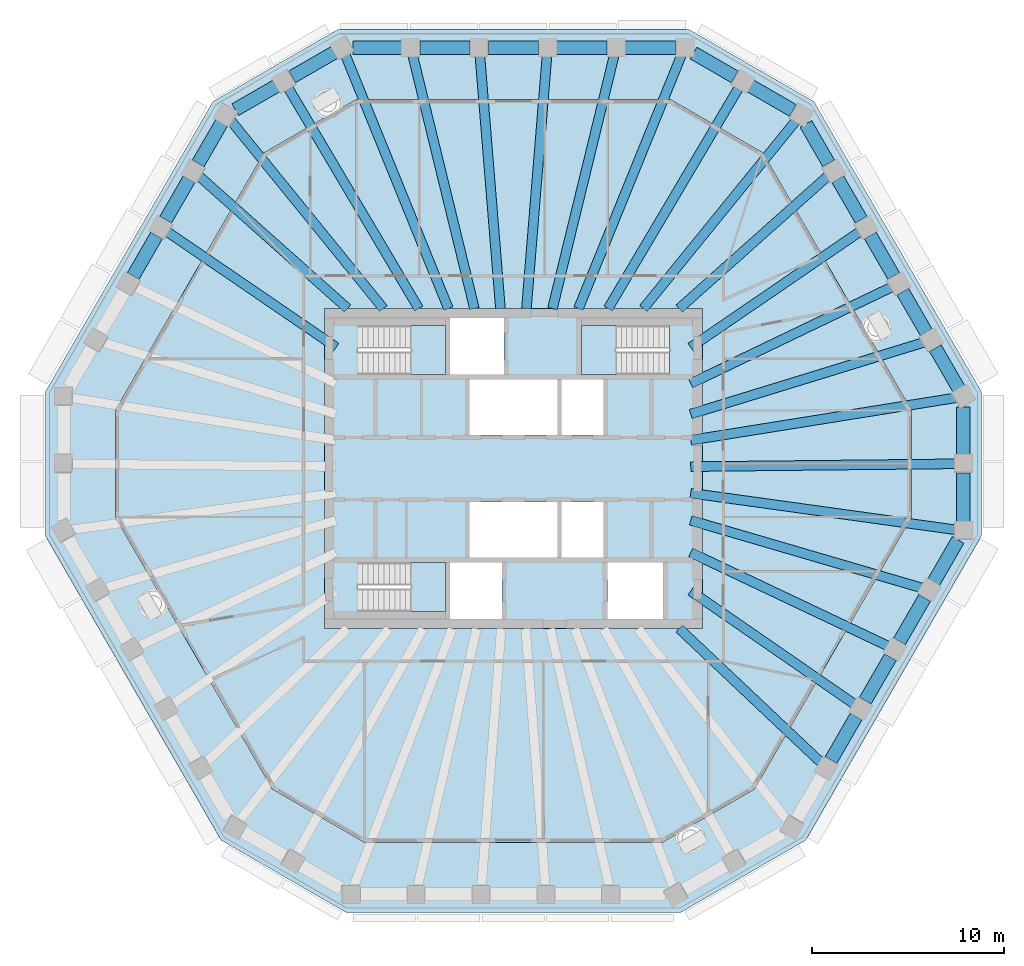
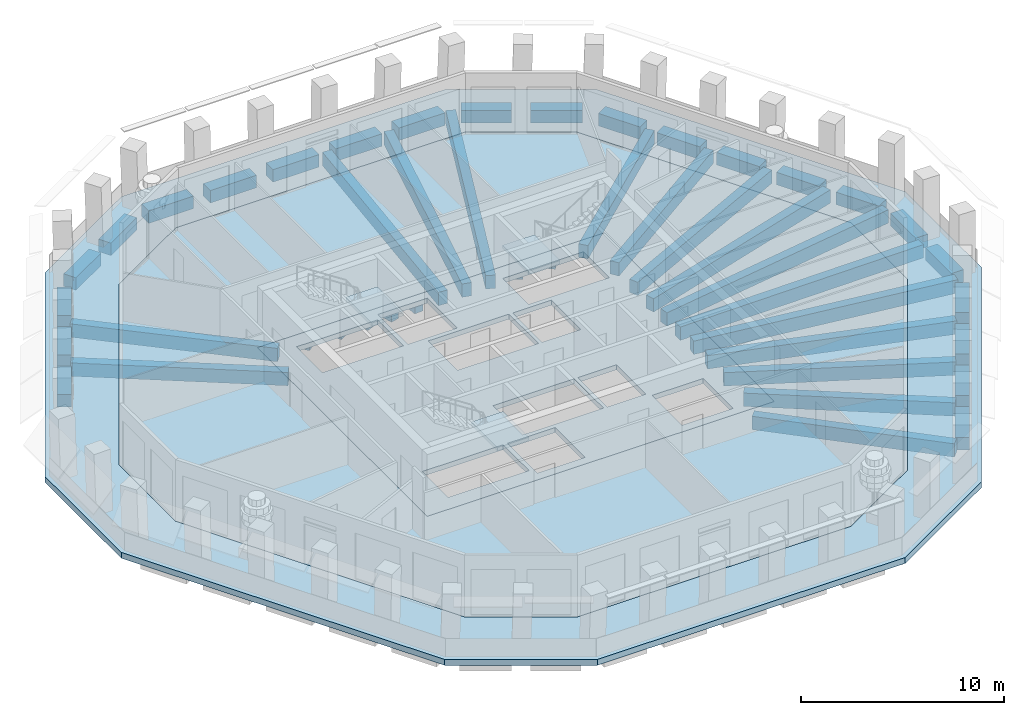
# One storey, part 2 of 12: 46 beams, 6 slabs, 3 elements without a shape of their own.
"""IFC4 building model written with IfcOpenShell, lengths in metres."""

from ifc_helpers import new_model, si_unit, direction, frame, origin, origin_2d, place, context, subcontext, project, spatial, polyline, rectangle, outline, extrude, material, layer, layer_set, material_profile, profile_set, type_object, element, aggregate, save


model = new_model("IFC4")

# Units and contexts
model_context = context("Model", 3, precision=1e-05, world=origin(), true_north=direction((0.0, 1.0)))
body_context = subcontext(model_context, "Body", "Model", "MODEL_VIEW")
ifc_project = project(units=[si_unit("LENGTHUNIT", "METRE"), si_unit("AREAUNIT", "SQUARE_METRE"), si_unit("VOLUMEUNIT", "CUBIC_METRE"), si_unit("PLANEANGLEUNIT", "RADIAN"), si_unit("MASSUNIT", "GRAM", prefix="KILO")], contexts=[model_context])

# Site, building, storey
site_placement = place(None, origin())
site = spatial("IfcSite", under=ifc_project, at=site_placement, CompositionType="ELEMENT")
building_placement = place(site_placement, origin())
building = spatial("IfcBuilding", under=site, at=building_placement, Name="Frailejon Research Tower", CompositionType="ELEMENT")
storey_placement = place(building_placement, frame((0.0, 0.0, 271.0)))
storey = spatial("IfcBuildingStorey", under=building, at=storey_placement, Name="L59", CompositionType="ELEMENT", Elevation=271.0)

# Beams
ifc_material_1 = material(Name="Concrete C60/75", Category="concrete")
ifc_material_profile_1 = material_profile(ifc_material_1, rectangle(XDim=0.5, YDim=0.800048828125, at=origin_2d()), Name="Girder 500x800")
ifc_profile_set_1 = profile_set([ifc_material_profile_1], Name="Concrete C60/75")
beam_type_1 = type_object("IfcBeamType", Name="Girder 500x800", PredefinedType="BEAM", material=ifc_profile_set_1)
beam_1_placement = place(storey_placement, frame((23.142578125, -3.205322265625, -0.699951171875), z_axis=(-0.990545172764, 0.137186955338, 0.0), x_axis=(-0.137186955338, -0.990545172764, 0.0)))
element("IfcBeam", 1, at=beam_1_placement, inside=storey, type_object=beam_type_1, Name="Girder 500x800", PredefinedType="BEAM", context=body_context, shape_type="SweptSolid", body=[
    extrude(rectangle(XDim=0.5, YDim=0.800048828125, at=origin_2d()), origin(), (0.0, 0.0, 1.0), 14.025146484375),
])
beam_2_placement = place(storey_placement, frame((23.14404296875, 0.247802734375, -0.699951171875), z_axis=(-0.999942748071, -0.010700494352, 0.0), x_axis=(0.010700494352, -0.999942748071, 0.0)))
element("IfcBeam", 2, at=beam_2_placement, inside=storey, type_object=beam_type_1, Name="Girder 500x800", PredefinedType="BEAM", context=body_context, shape_type="SweptSolid", body=[
    extrude(rectangle(XDim=0.5, YDim=0.800048828125, at=origin_2d()), origin(), (0.0, 0.0, 1.0), 13.894775390625),
])
beam_3_placement = place(storey_placement, frame((23.114990234375, 3.69677734375, -0.699951171875), z_axis=(-0.987452998151, -0.157913192745, 0.0), x_axis=(0.157913192745, -0.987452998151, 0.0)))
element("IfcBeam", 3, at=beam_3_placement, inside=storey, type_object=beam_type_1, Name="Girder 500x800", PredefinedType="BEAM", context=body_context, shape_type="SweptSolid", body=[
    extrude(rectangle(XDim=0.5, YDim=0.800048828125, at=origin_2d()), origin(), (0.0, 0.0, 1.0), 14.041259765625),
])
beam_4_placement = place(storey_placement, frame((21.44970703125, 6.59326171875, -0.699951171875), z_axis=(-0.955861689664, -0.293817001266, 0.0), x_axis=(0.293817001266, -0.955861689664, 0.0)))
element("IfcBeam", 4, at=beam_4_placement, inside=storey, type_object=beam_type_1, Name="Girder 500x800", PredefinedType="BEAM", context=body_context, shape_type="SweptSolid", body=[
    extrude(rectangle(XDim=0.5, YDim=0.800048828125, at=origin_2d()), origin(), (0.0, 0.0, 1.0), 12.762939453125),
])
beam_5_placement = place(storey_placement, frame((19.781005859375, 9.489990234375, -0.699951171875), z_axis=(-0.901611104768, -0.432547587854, 0.0), x_axis=(0.432547587854, -0.901611104768, 0.0)))
element("IfcBeam", 5, at=beam_5_placement, inside=storey, type_object=beam_type_1, Name="Girder 500x800", PredefinedType="BEAM", context=body_context, shape_type="SweptSolid", body=[
    extrude(rectangle(XDim=0.5, YDim=0.800048828125, at=origin_2d()), origin(), (0.0, 0.0, 1.0), 11.68017578125),
])
beam_6_placement = place(storey_placement, frame((18.109130859375, 12.385986328125, -0.699951171875), z_axis=(-0.825402098204, -0.564545282755, 0.0), x_axis=(0.564545282755, -0.825402098204, 0.0)))
element("IfcBeam", 6, at=beam_6_placement, inside=storey, type_object=beam_type_1, Name="Girder 500x800", PredefinedType="BEAM", context=body_context, shape_type="SweptSolid", body=[
    extrude(rectangle(XDim=0.5, YDim=0.800048828125, at=origin_2d()), origin(), (0.0, 0.0, 1.0), 10.733154296875),
])
beam_7_placement = place(storey_placement, frame((16.431640625, 15.2861328125, -0.699951171875), z_axis=(-0.746506696367, -0.665377901857, 0.0), x_axis=(0.665377901857, -0.746506696367, 0.0)))
element("IfcBeam", 7, at=beam_7_placement, inside=storey, type_object=beam_type_1, Name="Girder 500x800", PredefinedType="BEAM", context=body_context, shape_type="SweptSolid", body=[
    extrude(rectangle(XDim=0.5, YDim=0.800048828125, at=origin_2d()), origin(), (0.0, 0.0, 1.0), 10.42431640625),
])
beam_8_placement = place(storey_placement, frame((14.7763671875, 18.191162109375, -0.699951171875), z_axis=(-0.630487502946, -0.776199400044, 0.0), x_axis=(0.776199400044, -0.630487502946, 0.0)))
element("IfcBeam", 8, at=beam_8_placement, inside=storey, type_object=beam_type_1, Name="Girder 500x800", PredefinedType="BEAM", context=body_context, shape_type="SweptSolid", body=[
    extrude(rectangle(XDim=0.5, YDim=0.800048828125, at=origin_2d()), origin(), (0.0, 0.0, 1.0), 12.678466796875),
])
beam_9_placement = place(storey_placement, frame((11.78662109375, 19.919189453125, -0.699951171875), z_axis=(-0.509248699848, -0.860619405837, 0.0), x_axis=(0.860619405837, -0.509248699848, 0.0)))
element("IfcBeam", 9, at=beam_9_placement, inside=storey, type_object=beam_type_1, Name="Girder 500x800", PredefinedType="BEAM", context=body_context, shape_type="SweptSolid", body=[
    extrude(rectangle(XDim=0.5, YDim=0.800048828125, at=origin_2d()), origin(), (0.0, 0.0, 1.0), 13.44287109375),
])
beam_10_placement = place(storey_placement, frame((8.782958984375, 21.614013671875, -0.699951171875), z_axis=(-0.376462578193, -0.926431825458, 0.0), x_axis=(0.926431825458, -0.376462578193, 0.0)))
element("IfcBeam", 10, at=beam_10_placement, inside=storey, type_object=beam_type_1, Name="Girder 500x800", PredefinedType="BEAM", context=body_context, shape_type="SweptSolid", body=[
    extrude(rectangle(XDim=0.5, YDim=0.800048828125, at=origin_2d()), origin(), (0.0, 0.0, 1.0), 14.317138671875),
])
beam_11_placement = place(storey_placement, frame((5.271484375, 21.62060546875, -0.699951171875), z_axis=(-0.236879235522, -0.971539102547, 0.0), x_axis=(0.971539102547, -0.236879235522, 0.0)))
element("IfcBeam", 11, at=beam_11_placement, inside=storey, type_object=beam_type_1, Name="Girder 500x800", PredefinedType="BEAM", context=body_context, shape_type="SweptSolid", body=[
    extrude(rectangle(XDim=0.5, YDim=0.800048828125, at=origin_2d()), origin(), (0.0, 0.0, 1.0), 13.6591796875),
])
for number, where, z_axis, x_axis, name in (
    (12, (1.75732421875, 21.62451171875, -0.699951171875), (-0.080988140182, -0.996715065177, 0.0), (0.996715065177, -0.080988140182, 0.0), "Girder 500x800"),
    (13, (-1.75732421875, 21.62451171875, -0.699951171875), (0.080988140182, -0.996715065177, 0.0), (0.996715065177, 0.080988140182, 0.0), "Girder 500x800"),
):
    element("IfcBeam", number, at=place(storey_placement, frame(where, z_axis=z_axis, x_axis=x_axis)), inside=storey, type_object=beam_type_1, Name=name, PredefinedType="BEAM", context=body_context, shape_type="SweptSolid", body=[
        extrude(rectangle(XDim=0.5, YDim=0.800048828125, at=origin_2d()), origin(), (0.0, 0.0, 1.0), 13.318115234375),
    ])
beam_12_placement = place(storey_placement, frame((-5.271484375, 21.62060546875, -0.699951171875), z_axis=(0.236879235522, -0.971539102547, 0.0), x_axis=(0.971539102547, 0.236879235522, 0.0)))
element("IfcBeam", 14, at=beam_12_placement, inside=storey, type_object=beam_type_1, Name="Girder 500x800", PredefinedType="BEAM", context=body_context, shape_type="SweptSolid", body=[
    extrude(rectangle(XDim=0.5, YDim=0.800048828125, at=origin_2d()), origin(), (0.0, 0.0, 1.0), 13.6591796875),
])
beam_13_placement = place(storey_placement, frame((-8.79541015625, 21.644775390625, -0.699951171875), z_axis=(0.376459642479, -0.926433018402, 0.0), x_axis=(0.926433018402, 0.376459642479, 0.0)))
element("IfcBeam", 15, at=beam_13_placement, inside=storey, type_object=beam_type_1, Name="Girder 500x800", PredefinedType="BEAM", context=body_context, shape_type="SweptSolid", body=[
    extrude(rectangle(XDim=0.5, YDim=0.800048828125, at=origin_2d()), origin(), (0.0, 0.0, 1.0), 14.350341796875),
])
beam_14_placement = place(storey_placement, frame((-11.78662109375, 19.919189453125, -0.699951171875), z_axis=(0.509248699848, -0.860619405837, 0.0), x_axis=(0.860619405837, 0.509248699848, 0.0)))
element("IfcBeam", 16, at=beam_14_placement, inside=storey, type_object=beam_type_1, Name="Girder 500x800", PredefinedType="BEAM", context=body_context, shape_type="SweptSolid", body=[
    extrude(rectangle(XDim=0.5, YDim=0.800048828125, at=origin_2d()), origin(), (0.0, 0.0, 1.0), 13.44287109375),
])
beam_15_placement = place(storey_placement, frame((-14.759033203125, 18.169677734375, -0.699951171875), z_axis=(0.630493086353, -0.776194864748, 0.0), x_axis=(0.776194864748, 0.630493086353, 0.0)))
element("IfcBeam", 17, at=beam_15_placement, inside=storey, type_object=beam_type_1, Name="Girder 500x800", PredefinedType="BEAM", context=body_context, shape_type="SweptSolid", body=[
    extrude(rectangle(XDim=0.5, YDim=0.800048828125, at=origin_2d()), origin(), (0.0, 0.0, 1.0), 12.65087890625),
])
beam_16_placement = place(storey_placement, frame((-16.431640625, 15.2861328125, -0.699951171875), z_axis=(0.746506696367, -0.665377901857, 0.0), x_axis=(0.665377901857, 0.746506696367, 0.0)))
element("IfcBeam", 18, at=beam_16_placement, inside=storey, type_object=beam_type_1, Name="Girder 500x800", PredefinedType="BEAM", context=body_context, shape_type="SweptSolid", body=[
    extrude(rectangle(XDim=0.5, YDim=0.800048828125, at=origin_2d()), origin(), (0.0, 0.0, 1.0), 10.42431640625),
])
beam_17_placement = place(storey_placement, frame((-18.109130859375, 12.385986328125, -0.699951171875), z_axis=(0.825402098204, -0.564545282755, 0.0), x_axis=(0.564545282755, 0.825402098204, 0.0)))
element("IfcBeam", 19, at=beam_17_placement, inside=storey, type_object=beam_type_1, Name="Girder 500x800", PredefinedType="BEAM", context=body_context, shape_type="SweptSolid", body=[
    extrude(rectangle(XDim=0.5, YDim=0.800048828125, at=origin_2d()), origin(), (0.0, 0.0, 1.0), 10.733154296875),
])
beam_18_placement = place(storey_placement, frame((16.08740234375, -15.37744140625, -0.699951171875), z_axis=(-0.726864916827, 0.686780454502, 0.0), x_axis=(-0.686780454502, -0.726864916827, 0.0)))
element("IfcBeam", 20, at=beam_18_placement, inside=storey, type_object=beam_type_1, Name="Girder 500x800", PredefinedType="BEAM", context=body_context, shape_type="SweptSolid", body=[
    extrude(rectangle(XDim=0.5, YDim=0.800048828125, at=origin_2d()), origin(), (0.0, 0.0, 1.0), 10.232421875),
])
beam_19_placement = place(storey_placement, frame((17.8486328125, -12.334228515625, -0.699951171875), z_axis=(-0.822673728807, 0.568513795725, 0.0), x_axis=(-0.568513795725, -0.822673728807, 0.0)))
element("IfcBeam", 21, at=beam_19_placement, inside=storey, type_object=beam_type_1, Name="Girder 500x800", PredefinedType="BEAM", context=body_context, shape_type="SweptSolid", body=[
    extrude(rectangle(XDim=0.5, YDim=0.800048828125, at=origin_2d()), origin(), (0.0, 0.0, 1.0), 10.4521484375),
])
beam_20_placement = place(storey_placement, frame((19.606201171875, -9.290283203125, -0.699951171875), z_axis=(-0.903681872797, 0.428204475429, 0.0), x_axis=(-0.428204475429, -0.903681872797, 0.0)))
element("IfcBeam", 22, at=beam_20_placement, inside=storey, type_object=beam_type_1, Name="Girder 500x800", PredefinedType="BEAM", context=body_context, shape_type="SweptSolid", body=[
    extrude(rectangle(XDim=0.5, YDim=0.800048828125, at=origin_2d()), origin(), (0.0, 0.0, 1.0), 11.4599609375),
])
beam_21_placement = place(storey_placement, frame((21.35986328125, -6.2451171875, -0.699951171875), z_axis=(-0.959819051667, 0.280619650161, 0.0), x_axis=(-0.280619650161, -0.959819051667, 0.0)))
element("IfcBeam", 23, at=beam_21_placement, inside=storey, type_object=beam_type_1, Name="Girder 500x800", PredefinedType="BEAM", context=body_context, shape_type="SweptSolid", body=[
    extrude(rectangle(XDim=0.5, YDim=0.800048828125, at=origin_2d()), origin(), (0.0, 0.0, 1.0), 12.61669921875),
])
ifc_material_2 = material(Name="Concrete C60/75", Category="concrete")
ifc_material_profile_2 = material_profile(ifc_material_2, rectangle(XDim=0.699951171875, YDim=0.75, at=origin_2d()), Name="Spandrel 700x750")
ifc_profile_set_2 = profile_set([ifc_material_profile_2], Name="Concrete C60/75")
beam_type_2 = type_object("IfcBeamType", Name="Spandrel 700x750", PredefinedType="BEAM", material=ifc_profile_set_2)
beam_22_placement = place(storey_placement, frame((23.468994140625, -2.775634765625, -0.72509765625), z_axis=(0.0, 1.0, 0.0), x_axis=(-1.0, 0.0, 0.0)))
element("IfcBeam", 24, at=beam_22_placement, inside=storey, type_object=beam_type_2, Name="Spandrel 700x750", PredefinedType="BEAM", context=body_context, shape_type="SweptSolid", body=[
    extrude(rectangle(XDim=0.699951171875, YDim=0.75, at=origin_2d()), origin(), (0.0, 0.0, 1.0), 2.552001953125),
])
beam_23_placement = place(storey_placement, frame((23.468994140625, 0.726318359375, -0.72509765625), z_axis=(0.0, 1.0, 0.0), x_axis=(-1.0, 0.0, 0.0)))
element("IfcBeam", 25, at=beam_23_placement, inside=storey, type_object=beam_type_2, Name="Spandrel 700x750", PredefinedType="BEAM", context=body_context, shape_type="SweptSolid", body=[
    extrude(rectangle(XDim=0.699951171875, YDim=0.75, at=origin_2d()), origin(), (0.0, 0.0, 1.0), 2.478515625),
])
beam_24_placement = place(storey_placement, frame((23.2314453125, 4.164794921875, -0.72509765625), z_axis=(-0.499964620392, 0.866045829247, 0.0), x_axis=(-0.866045829247, -0.499964620392, 0.0)))
element("IfcBeam", 26, at=beam_24_placement, inside=storey, type_object=beam_type_2, Name="Spandrel 700x750", PredefinedType="BEAM", context=body_context, shape_type="SweptSolid", body=[
    extrude(rectangle(XDim=0.699951171875, YDim=0.75, at=origin_2d()), origin(), (0.0, 0.0, 1.0), 2.443603515625),
])
beam_25_placement = place(storey_placement, frame((21.53466796875, 7.103759765625, -0.72509765625), z_axis=(-0.500007885066, 0.866020851292, 0.0), x_axis=(-0.866020851292, -0.500007885066, 0.0)))
element("IfcBeam", 27, at=beam_25_placement, inside=storey, type_object=beam_type_2, Name="Spandrel 700x750", PredefinedType="BEAM", context=body_context, shape_type="SweptSolid", body=[
    extrude(rectangle(XDim=0.699951171875, YDim=0.75, at=origin_2d()), origin(), (0.0, 0.0, 1.0), 2.443359375),
])
beam_26_placement = place(storey_placement, frame((19.837890625, 10.04248046875, -0.72509765625), z_axis=(-0.499964620392, 0.866045829247, 0.0), x_axis=(-0.866045829247, -0.499964620392, 0.0)))
element("IfcBeam", 28, at=beam_26_placement, inside=storey, type_object=beam_type_2, Name="Spandrel 700x750", PredefinedType="BEAM", context=body_context, shape_type="SweptSolid", body=[
    extrude(rectangle(XDim=0.699951171875, YDim=0.75, at=origin_2d()), origin(), (0.0, 0.0, 1.0), 2.443603515625),
])
beam_27_placement = place(storey_placement, frame((18.14111328125, 12.981689453125, -0.72509765625), z_axis=(-0.500082819891, 0.865977582417, 0.0), x_axis=(-0.865977582417, -0.500082819891, 0.0)))
element("IfcBeam", 29, at=beam_27_placement, inside=storey, type_object=beam_type_2, Name="Spandrel 700x750", PredefinedType="BEAM", context=body_context, shape_type="SweptSolid", body=[
    extrude(rectangle(XDim=0.699951171875, YDim=0.75, at=origin_2d()), origin(), (0.0, 0.0, 1.0), 2.443359375),
])
beam_28_placement = place(storey_placement, frame((16.4443359375, 15.92041015625, -0.72509765625), z_axis=(-0.5000167099, 0.866015756104, 0.0), x_axis=(-0.866015756104, -0.5000167099, 0.0)))
element("IfcBeam", 30, at=beam_28_placement, inside=storey, type_object=beam_type_2, Name="Spandrel 700x750", PredefinedType="BEAM", context=body_context, shape_type="SweptSolid", body=[
    extrude(rectangle(XDim=0.699951171875, YDim=0.75, at=origin_2d()), origin(), (0.0, 0.0, 1.0), 2.3701171875),
])
beam_29_placement = place(storey_placement, frame((14.573486328125, 18.685546875, -0.72509765625), z_axis=(-0.866032638483, 0.499987468925, 0.0), x_axis=(-0.499987468925, -0.866032638483, 0.0)))
element("IfcBeam", 31, at=beam_29_placement, inside=storey, type_object=beam_type_2, Name="Spandrel 700x750", PredefinedType="BEAM", context=body_context, shape_type="SweptSolid", body=[
    extrude(rectangle(XDim=0.699951171875, YDim=0.75, at=origin_2d()), origin(), (0.0, 0.0, 1.0), 2.5517578125),
])
beam_30_placement = place(storey_placement, frame((11.540771484375, 20.4365234375, -0.72509765625), z_axis=(-0.866028115054, 0.499995303914, 0.0), x_axis=(-0.499995303914, -0.866028115054, 0.0)))
element("IfcBeam", 32, at=beam_30_placement, inside=storey, type_object=beam_type_2, Name="Spandrel 700x750", PredefinedType="BEAM", context=body_context, shape_type="SweptSolid", body=[
    extrude(rectangle(XDim=0.699951171875, YDim=0.75, at=origin_2d()), origin(), (0.0, 0.0, 1.0), 2.478515625),
])
beam_31_placement = place(storey_placement, frame((8.4443359375, 21.949951171875, -0.72509765625), z_axis=(-1.0, 0.0, 0.0), x_axis=(0.0, -1.0, 0.0)))
element("IfcBeam", 33, at=beam_31_placement, inside=storey, type_object=beam_type_2, Name="Spandrel 700x750", PredefinedType="BEAM", context=body_context, shape_type="SweptSolid", body=[
    extrude(rectangle(XDim=0.699951171875, YDim=0.75, at=origin_2d()), origin(), (0.0, 0.0, 1.0), 2.61767578125),
])
beam_32_placement = place(storey_placement, frame((4.876708984375, 21.949951171875, -0.72509765625), z_axis=(-1.0, 0.0, 0.0), x_axis=(0.0, -1.0, 0.0)))
element("IfcBeam", 34, at=beam_32_placement, inside=storey, type_object=beam_type_2, Name="Spandrel 700x750", PredefinedType="BEAM", context=body_context, shape_type="SweptSolid", body=[
    extrude(rectangle(XDim=0.699951171875, YDim=0.75, at=origin_2d()), origin(), (0.0, 0.0, 1.0), 2.617919921875),
])
beam_33_placement = place(storey_placement, frame((1.308837890625, 21.949951171875, -0.72509765625), z_axis=(-1.0, 0.0, 0.0), x_axis=(0.0, -1.0, 0.0)))
element("IfcBeam", 35, at=beam_33_placement, inside=storey, type_object=beam_type_2, Name="Spandrel 700x750", PredefinedType="BEAM", context=body_context, shape_type="SweptSolid", body=[
    extrude(rectangle(XDim=0.699951171875, YDim=0.75, at=origin_2d()), origin(), (0.0, 0.0, 1.0), 2.61767578125),
])
beam_34_placement = place(storey_placement, frame((-2.2587890625, 21.949951171875, -0.72509765625), z_axis=(-1.0, 0.0, 0.0), x_axis=(0.0, -1.0, 0.0)))
element("IfcBeam", 36, at=beam_34_placement, inside=storey, type_object=beam_type_2, Name="Spandrel 700x750", PredefinedType="BEAM", context=body_context, shape_type="SweptSolid", body=[
    extrude(rectangle(XDim=0.699951171875, YDim=0.75, at=origin_2d()), origin(), (0.0, 0.0, 1.0), 2.617919921875),
])
beam_35_placement = place(storey_placement, frame((-5.82666015625, 21.949951171875, -0.72509765625), z_axis=(-1.0, 0.0, 0.0), x_axis=(0.0, -1.0, 0.0)))
element("IfcBeam", 37, at=beam_35_placement, inside=storey, type_object=beam_type_2, Name="Spandrel 700x750", PredefinedType="BEAM", context=body_context, shape_type="SweptSolid", body=[
    extrude(rectangle(XDim=0.699951171875, YDim=0.75, at=origin_2d()), origin(), (0.0, 0.0, 1.0), 2.544189453125),
])
beam_36_placement = place(storey_placement, frame((-9.330810546875, 21.71240234375, -0.72509765625), z_axis=(-0.866032638483, -0.499987468925, 0.0), x_axis=(0.499987468925, -0.866032638483, 0.0)))
element("IfcBeam", 38, at=beam_36_placement, inside=storey, type_object=beam_type_2, Name="Spandrel 700x750", PredefinedType="BEAM", context=body_context, shape_type="SweptSolid", body=[
    extrude(rectangle(XDim=0.699951171875, YDim=0.75, at=origin_2d()), origin(), (0.0, 0.0, 1.0), 2.5517578125),
])
beam_37_placement = place(storey_placement, frame((-12.363525390625, 19.96142578125, -0.72509765625), z_axis=(-0.866028115054, -0.499995303914, 0.0), x_axis=(0.499995303914, -0.866028115054, 0.0)))
element("IfcBeam", 39, at=beam_37_placement, inside=storey, type_object=beam_type_2, Name="Spandrel 700x750", PredefinedType="BEAM", context=body_context, shape_type="SweptSolid", body=[
    extrude(rectangle(XDim=0.699951171875, YDim=0.75, at=origin_2d()), origin(), (0.0, 0.0, 1.0), 2.478515625),
])
beam_38_placement = place(storey_placement, frame((-15.222412109375, 18.03662109375, -0.72509765625), z_axis=(-0.500039553057, -0.866002566612, 0.0), x_axis=(0.866002566612, -0.500039553057, 0.0)))
element("IfcBeam", 40, at=beam_38_placement, inside=storey, type_object=beam_type_2, Name="Spandrel 700x750", PredefinedType="BEAM", context=body_context, shape_type="SweptSolid", body=[
    extrude(rectangle(XDim=0.699951171875, YDim=0.75, at=origin_2d()), origin(), (0.0, 0.0, 1.0), 2.443603515625),
])
beam_39_placement = place(storey_placement, frame((-16.919189453125, 15.09765625, -0.72509765625), z_axis=(-0.500082819891, -0.865977582417, 0.0), x_axis=(0.865977582417, -0.500082819891, 0.0)))
element("IfcBeam", 41, at=beam_39_placement, inside=storey, type_object=beam_type_2, Name="Spandrel 700x750", PredefinedType="BEAM", context=body_context, shape_type="SweptSolid", body=[
    extrude(rectangle(XDim=0.699951171875, YDim=0.75, at=origin_2d()), origin(), (0.0, 0.0, 1.0), 2.443359375),
])
beam_40_placement = place(storey_placement, frame((-18.6162109375, 12.15869140625, -0.72509765625), z_axis=(-0.499964620392, -0.866045829247, 0.0), x_axis=(0.866045829247, -0.499964620392, 0.0)))
element("IfcBeam", 42, at=beam_40_placement, inside=storey, type_object=beam_type_2, Name="Spandrel 700x750", PredefinedType="BEAM", context=body_context, shape_type="SweptSolid", body=[
    extrude(rectangle(XDim=0.699951171875, YDim=0.75, at=origin_2d()), origin(), (0.0, 0.0, 1.0), 2.443603515625),
])
for number, where, z_axis, x_axis, name in (
    (43, (16.57080078125, -15.1982421875, -0.72509765625), (0.50009112377, 0.865972787059, 0.0), (-0.865972787059, 0.50009112377, 0.0), "Spandrel 700x750"),
    (44, (18.354736328125, -12.1083984375, -0.72509765625), (0.50009112377, 0.865972787059, 0.0), (-0.865972787059, 0.50009112377, 0.0), "Spandrel 700x750"),
    (45, (20.138671875, -9.018798828125, -0.72509765625), (0.499980792466, 0.866036492975, 0.0), (-0.866036492975, 0.499980792466, 0.0), "Spandrel 700x750"),
):
    element("IfcBeam", number, at=place(storey_placement, frame(where, z_axis=z_axis, x_axis=x_axis)), inside=storey, type_object=beam_type_2, Name=name, PredefinedType="BEAM", context=body_context, shape_type="SweptSolid", body=[
        extrude(rectangle(XDim=0.699951171875, YDim=0.75, at=origin_2d()), origin(), (0.0, 0.0, 1.0), 2.61767578125),
    ])
beam_41_placement = place(storey_placement, frame((21.922607421875, -5.928955078125, -0.72509765625), z_axis=(0.499957811549, 0.866049759928, 0.0), x_axis=(-0.866049759928, 0.499957811549, 0.0)))
element("IfcBeam", 46, at=beam_41_placement, inside=storey, type_object=beam_type_2, Name="Spandrel 700x750", PredefinedType="BEAM", context=body_context, shape_type="SweptSolid", body=[
    extrude(rectangle(XDim=0.699951171875, YDim=0.75, at=origin_2d()), origin(), (0.0, 0.0, 1.0), 2.544189453125),
])

# Slabs
ifc_material_3 = material(Name="Concrete C50/60", Category="concrete")
ifc_layer_1 = layer(ifc_material_3, 0.300048828125)
ifc_layer_set_1 = layer_set([ifc_layer_1], Name="Core floor slab 300 C50/60")
slab_type_1 = type_object("IfcSlabType", Name="Core floor slab 300 C50/60", PredefinedType="FLOOR", material=ifc_layer_set_1)
slab_1_placement = place(storey_placement, frame((0.0, 0.0, -0.300048828125)))
element("IfcSlab", 47, at=slab_1_placement, inside=storey, type_object=slab_type_1, Name="Core floor slab", PredefinedType="FLOOR", context=body_context, shape_type="SweptSolid", body=[
    extrude(outline(polyline([(9.85009765625, -8.35009765625), (9.85009765625, 8.35009765625), (-9.85009765625, 8.35009765625), (-9.85009765625, -8.35009765625), (9.85009765625, -8.35009765625)]), holes=[polyline([(2.300048828125, 1.75), (2.300048828125, 4.64990234375), (-2.300048828125, 4.64990234375), (-2.300048828125, 1.75), (2.300048828125, 1.75)]), polyline([(4.699951171875, 1.75), (4.699951171875, 4.64990234375), (2.5, 4.64990234375), (2.5, 1.75), (4.699951171875, 1.75)]), polyline([(2.300048828125, -4.64990234375), (2.300048828125, -1.75), (-2.300048828125, -1.75), (-2.300048828125, -4.64990234375), (2.300048828125, -4.64990234375)]), polyline([(4.699951171875, -4.64990234375), (4.699951171875, -1.75), (2.5, -1.75), (2.5, -4.64990234375), (4.699951171875, -4.64990234375)]), polyline([(-8.14697265625, 4.89990234375), (-3.550048828125, 4.89990234375), (-3.550048828125, 7.449951171875), (-8.14697265625, 7.449951171875), (-8.14697265625, 4.89990234375)]), polyline([(-8.14697265625, -7.449951171875), (-3.550048828125, -7.449951171875), (-3.550048828125, -4.89990234375), (-8.14697265625, -4.89990234375), (-8.14697265625, -7.449951171875)]), polyline([(8.14697265625, 7.449951171875), (3.550048828125, 7.449951171875), (3.550048828125, 4.89990234375), (8.14697265625, 4.89990234375), (8.14697265625, 7.449951171875)]), polyline([(-0.60009765625, -7.85009765625), (-0.60009765625, -4.89990234375), (-3.300048828125, -4.89990234375), (-3.300048828125, -7.85009765625), (-0.60009765625, -7.85009765625)]), polyline([(7.800048828125, -7.85009765625), (7.800048828125, -4.89990234375), (4.89990234375, -4.89990234375), (4.89990234375, -7.85009765625), (7.800048828125, -7.85009765625)]), polyline([(-0.5, 4.89990234375), (-0.5, 7.85009765625), (-3.300048828125, 7.85009765625), (-3.300048828125, 4.89990234375), (-0.5, 4.89990234375)])]), origin(), (0.0, 0.0, 1.0), 0.300048828125),
])
ifc_material_4 = material(Name="Concrete C40/50", Category="concrete")
ifc_layer_2 = layer(ifc_material_4, 0.35009765625)
ifc_layer_set_2 = layer_set([ifc_layer_2], Name="Loggia slab 350")
slab_type_2 = type_object("IfcSlabType", Name="Loggia slab 350", PredefinedType="USERDEFINED", material=ifc_layer_set_2)
slab_2_placement = place(storey_placement, frame((0.0, 0.0, -0.35009765625)))
element("IfcSlab", 48, at=slab_2_placement, inside=storey, type_object=slab_type_2, Name="Loggia slab L59", ObjectType="LOGGIA", PredefinedType="USERDEFINED", context=body_context, shape_type="SweptSolid", body=[
    extrude(outline(polyline([(15.2451171875, -19.39501953125), (8.738525390625, -23.1513671875), (-8.738525390625, -23.1513671875), (-15.2451171875, -19.39501953125), (-24.4189453125, -3.505126953125), (-24.4189453125, 4.0078125), (-15.680419921875, 19.1435546875), (-9.174072265625, 22.89990234375), (9.174072265625, 22.89990234375), (15.680419921875, 19.1435546875), (24.4189453125, 4.0078125), (24.4189453125, -3.505126953125), (15.2451171875, -19.39501953125)]), holes=[polyline([(20.76904296875, 3.02978515625), (13.008544921875, 16.471435546875), (8.196044921875, 19.25), (-8.196044921875, 19.25), (-13.008544921875, 16.471435546875), (-20.76904296875, 3.02978515625), (-20.76904296875, -2.527099609375), (-12.572998046875, -16.722900390625), (-7.760498046875, -19.50146484375), (7.760498046875, -19.50146484375), (12.572998046875, -16.722900390625), (20.76904296875, -2.527099609375), (20.76904296875, 3.02978515625)])]), origin(), (0.0, 0.0, 1.0), 0.35009765625),
])
ifc_material_5 = material(Name="Concrete C40/50", Category="concrete")
ifc_layer_3 = layer(ifc_material_5, 0.300048828125)
ifc_layer_set_3 = layer_set([ifc_layer_3], Name="Slab typical 300")
slab_type_3 = type_object("IfcSlabType", Name="Slab typical 300", PredefinedType="FLOOR", material=ifc_layer_set_3)
slab_3_placement = place(storey_placement, frame((0.0, 0.0, -0.300048828125)))
element("IfcSlab", 49, at=slab_3_placement, inside=storey, type_object=slab_type_3, Name="Floor slab L59", PredefinedType="FLOOR", context=body_context, shape_type="SweptSolid", body=[
    extrude(outline(polyline([(20.76904296875, -2.527099609375), (20.76904296875, 3.02978515625), (13.008544921875, 16.471435546875), (8.196044921875, 19.25), (-8.196044921875, 19.25), (-13.008544921875, 16.471435546875), (-20.76904296875, 3.02978515625), (-20.76904296875, -2.527099609375), (-12.572998046875, -16.722900390625), (-7.760498046875, -19.50146484375), (7.760498046875, -19.50146484375), (12.572998046875, -16.722900390625), (20.76904296875, -2.527099609375)]), holes=[polyline([(9.25, 8.35009765625), (9.85009765625, 8.35009765625), (9.85009765625, -8.35009765625), (9.25, -8.35009765625), (-9.25, -8.35009765625), (-9.85009765625, -8.35009765625), (-9.85009765625, 8.35009765625), (-9.25, 8.35009765625), (9.25, 8.35009765625)])]), origin(), (0.0, 0.0, 1.0), 0.300048828125),
])

# Stair, slab
ifc_material_6 = material(Name="Concrete C50/60", Category="concrete")
stair_type = type_object("IfcStairType", Name="Exit stair 22 risers", PredefinedType="HALF_TURN_STAIR", material=ifc_material_6)
stair_1_placement = place(storey_placement, origin())
stair_1 = element("IfcStair", 50, at=stair_1_placement, inside=storey, type_object=stair_type, Name="L59 Exit stair ST1", PredefinedType="HALF_TURN_STAIR")
ifc_material_7 = material(Name="Concrete C50/60", Category="concrete")
ifc_layer_4 = layer(ifc_material_7, 0.199951171875)
ifc_layer_set_4 = layer_set([ifc_layer_4], Name="Stair landing slab 200")
slab_type_4 = type_object("IfcSlabType", Name="Stair landing slab 200", PredefinedType="LANDING", material=ifc_layer_set_4)
slab_4_placement = place(storey_placement, frame((0.0, 0.0, 1.800048828125)))
slab_4 = element("IfcSlab", 51, at=slab_4_placement, type_object=slab_type_4, Name="ST1 landing 1", PredefinedType="LANDING", context=body_context, shape_type="SweptSolid", body=[
    extrude(outline(polyline([(-5.35009765625, 4.89990234375), (-3.550048828125, 4.89990234375), (-3.550048828125, 7.449951171875), (-5.35009765625, 7.449951171875), (-5.35009765625, 4.89990234375)])), origin(), (0.0, 0.0, 1.0), 0.199951171875),
])
aggregate(stair_1, [slab_4])

stair_2_placement = place(storey_placement, origin())
stair_2 = element("IfcStair", 52, at=stair_2_placement, inside=storey, type_object=stair_type, Name="L59 Exit stair ST2", PredefinedType="HALF_TURN_STAIR")
slab_5_placement = place(storey_placement, frame((0.0, 0.0, 1.800048828125)))
slab_5 = element("IfcSlab", 53, at=slab_5_placement, type_object=slab_type_4, Name="ST2 landing 1", PredefinedType="LANDING", context=body_context, shape_type="SweptSolid", body=[
    extrude(outline(polyline([(-5.35009765625, -7.449951171875), (-3.550048828125, -7.449951171875), (-3.550048828125, -4.89990234375), (-5.35009765625, -4.89990234375), (-5.35009765625, -7.449951171875)])), origin(), (0.0, 0.0, 1.0), 0.199951171875),
])
aggregate(stair_2, [slab_5])

stair_3_placement = place(storey_placement, origin())
stair_3 = element("IfcStair", 54, at=stair_3_placement, inside=storey, type_object=stair_type, Name="L59 Exit stair ST3", PredefinedType="HALF_TURN_STAIR")
slab_6_placement = place(storey_placement, frame((0.0, 0.0, 1.800048828125)))
slab_6 = element("IfcSlab", 55, at=slab_6_placement, type_object=slab_type_4, Name="ST3 landing 1", PredefinedType="LANDING", context=body_context, shape_type="SweptSolid", body=[
    extrude(outline(polyline([(5.35009765625, 7.449951171875), (3.550048828125, 7.449951171875), (3.550048828125, 4.89990234375), (5.35009765625, 4.89990234375), (5.35009765625, 7.449951171875)])), origin(), (0.0, 0.0, 1.0), 0.199951171875),
])
aggregate(stair_3, [slab_6])

save(model, "model.ifc")
